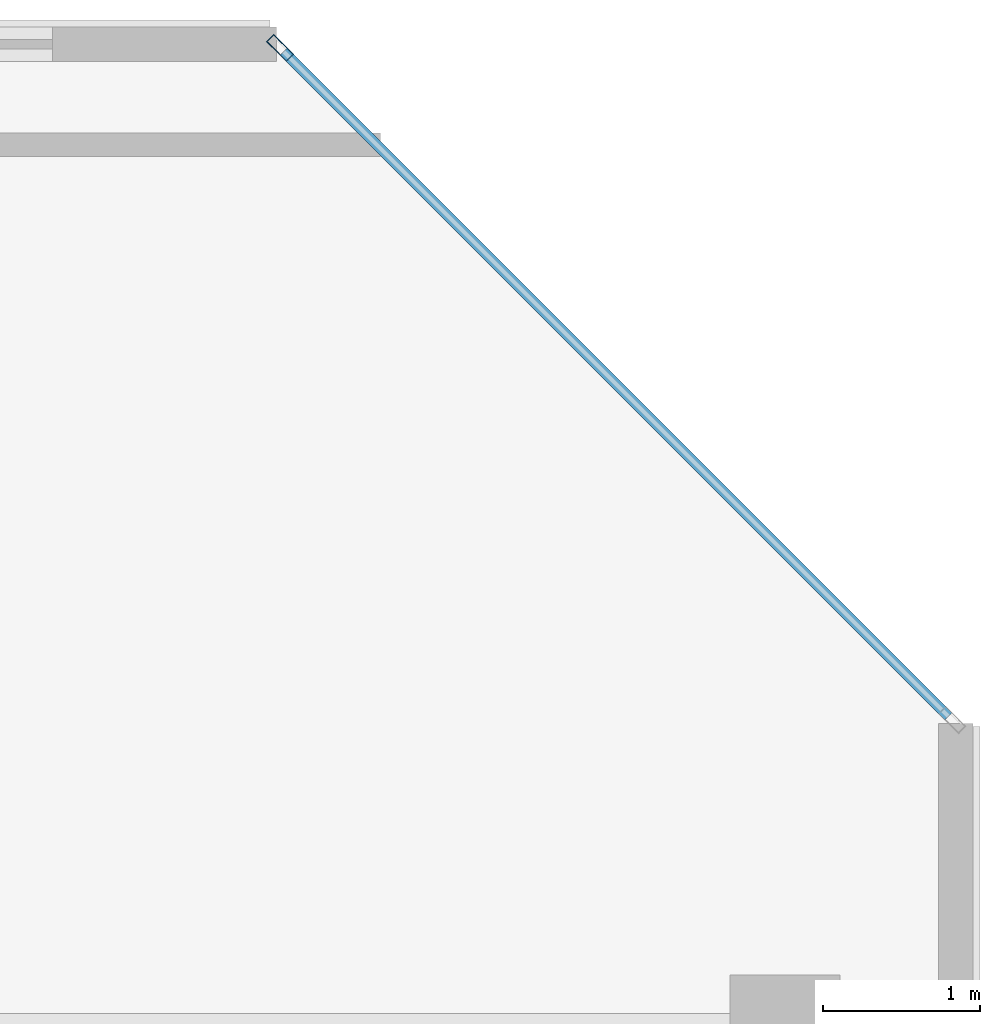
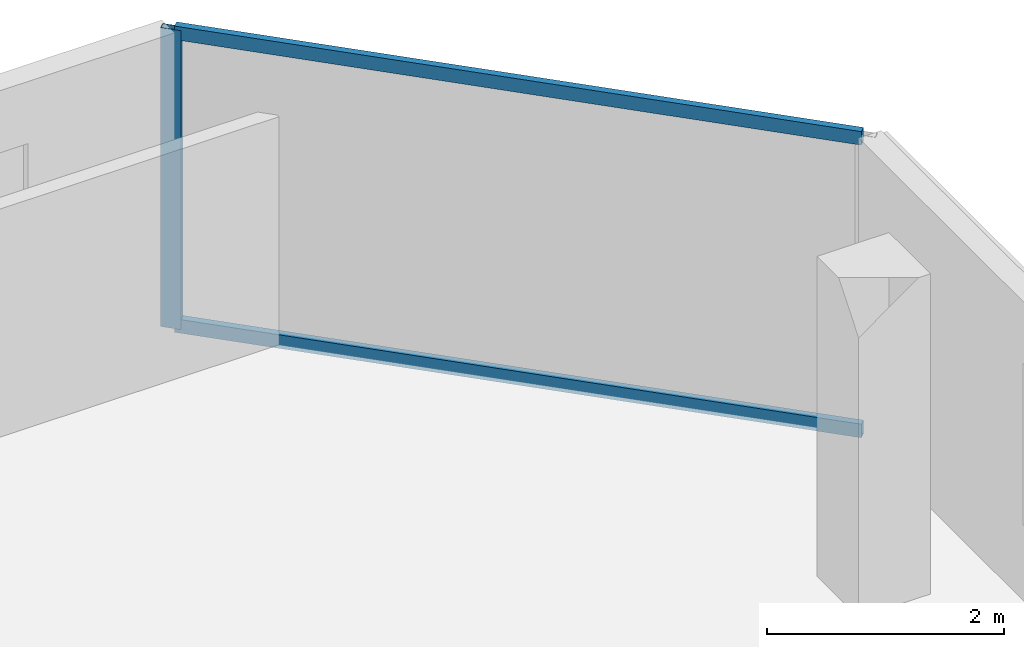
# One storey, part 19 of 29: 3 members, 1 element without a shape of its own.
"""IFC4 building model written with IfcOpenShell, lengths in metres."""

import ifcopenshell
import ifcopenshell.guid

model = None  # the IFC model being written
_history = None  # IfcOwnerHistory: only IFC2X3 demands one
_inside = {}  # id of a spatial element -> (the spatial element, [elements in it])
_under = {}  # id of a project, library or spatial element -> (it, [spatial elements below it])
_declared = {}  # id of a project -> (the project, [libraries it declares])
_typed = {}  # id of a type object -> (the type object, [elements of that type])
_made_of = {}  # id of a material, layer set ... -> (it, [elements and type objects made of it])


def new_model(schema):
    """Start an empty IFC model of exactly this schema.

    Asked for "IFC4X3", IfcOpenShell would pick the latest addendum, in which some entities
    have other attributes; the version numbers below select the first issue.
    IFC2X3 requires an IfcOwnerHistory on every rooted entity: one is made here for all.
    """
    global model, _history
    if schema == "IFC4X3":
        model = ifcopenshell.file(schema_version=(4, 3, 0, 0))
    else:
        model = ifcopenshell.file(schema=schema)
    _inside.clear()
    _under.clear()
    _declared.clear()
    _typed.clear()
    _made_of.clear()
    _history = None
    if model.schema == "IFC2X3":
        org = make("IfcOrganization", Name="unknown")
        user = make(
            "IfcPersonAndOrganization",
            ThePerson=make("IfcPerson", FamilyName="unknown"),
            TheOrganization=org,
        )
        app = make(
            "IfcApplication",
            ApplicationDeveloper=org,
            Version="unknown",
            ApplicationFullName="unknown",
            ApplicationIdentifier="unknown",
        )
        _history = make(
            "IfcOwnerHistory",
            OwningUser=user,
            OwningApplication=app,
            ChangeAction="ADDED",
            CreationDate=0,
        )
    return model


def make(cls, **values):
    """One entity of the class cls with the attributes given. An attribute that is None is left unset."""
    return model.create_entity(
        cls, **{name: value for name, value in values.items() if value is not None}
    )


def rooted(cls, **values):
    """An entity with a GlobalId (a new one), such as an element, a storey or a relation."""
    return make(cls, GlobalId=ifcopenshell.guid.new(), OwnerHistory=_history, **values)


def si_unit(unit_type, name, prefix=None):
    """IfcSIUnit, for example si_unit("LENGTHUNIT", "METRE", prefix="MILLI")."""
    return make("IfcSIUnit", UnitType=unit_type, Prefix=prefix, Name=name)


def assignment(units):
    """IfcUnitAssignment: the units of a project."""
    return None if units is None else make("IfcUnitAssignment", Units=units)


def point(xyz):
    """IfcCartesianPoint."""
    return None if xyz is None else make("IfcCartesianPoint", Coordinates=xyz)


def direction(xyz):
    """IfcDirection."""
    return None if xyz is None else make("IfcDirection", DirectionRatios=xyz)


def frame(location, z_axis=None, x_axis=None):
    """IfcAxis2Placement3D, a coordinate frame: its origin and axes. An axis left out is left unset."""
    return make(
        "IfcAxis2Placement3D",
        Location=point(location),
        Axis=direction(z_axis),
        RefDirection=direction(x_axis),
    )


def frame_2d(location, x_axis=None):
    """IfcAxis2Placement2D, a coordinate frame in the plane: its origin and x axis."""
    return make(
        "IfcAxis2Placement2D", Location=point(location), RefDirection=direction(x_axis)
    )


def origin():
    """The frame at (0, 0, 0) with its axes left unset."""
    return frame((0.0, 0.0, 0.0))


def origin_2d():
    """The frame at (0, 0) in the plane with its x axis left unset."""
    return frame_2d((0.0, 0.0))


def place(relative_to, where):
    """IfcLocalPlacement: puts the frame where relative to a parent placement (None: the world)."""
    return make(
        "IfcLocalPlacement", PlacementRelTo=relative_to, RelativePlacement=where
    )


def context(
    kind, dimensions, precision=None, world=None, true_north=None, identifier=None
):
    """IfcGeometricRepresentationContext, for example the 3D "Model" context."""
    return make(
        "IfcGeometricRepresentationContext",
        ContextIdentifier=identifier,
        ContextType=kind,
        CoordinateSpaceDimension=dimensions,
        Precision=precision,
        WorldCoordinateSystem=world,
        TrueNorth=true_north,
    )


def subcontext(parent, identifier, kind, view, scale=None):
    """IfcGeometricRepresentationSubContext, for example "Body" below "Model"."""
    return make(
        "IfcGeometricRepresentationSubContext",
        ContextIdentifier=identifier,
        ContextType=kind,
        ParentContext=parent,
        TargetScale=scale,
        TargetView=view,
    )


def project(units=None, contexts=None):
    """IfcProject with its units and contexts."""
    return rooted(
        "IfcProject",
        Name="project",
        RepresentationContexts=contexts,
        UnitsInContext=assignment(units),
    )


def spatial(cls, under=None, at=None, **own):
    """A site, building, storey or space (cls), placed at a placement, below another one or the project."""
    s = rooted(cls, ObjectPlacement=at, **own)
    if under is not None:
        _under.setdefault(under.id(), (under, []))[1].append(s)
    return s


def profile(cls, at=None, kind="AREA", **sizes):
    """A parametric profile (cls). Its sizes go by their IFC names, for example OverallWidth=200.0."""
    return make(cls, ProfileType=kind, Position=at, **sizes)


def hollow_rectangle(**sizes):
    """IfcRectangleHollowProfileDef."""
    return profile("IfcRectangleHollowProfileDef", **sizes)


def extrude(swept, where, along, depth):
    """IfcExtrudedAreaSolid: the profile swept, set in the frame where, extruded along a direction by depth."""
    return make(
        "IfcExtrudedAreaSolid",
        SweptArea=swept,
        Position=where,
        ExtrudedDirection=direction(along),
        Depth=depth,
    )


def shape(context_of_items, identifier, shape_type, items):
    """IfcShapeRepresentation: the items that make up one representation, for example the "Body"."""
    return make(
        "IfcShapeRepresentation",
        ContextOfItems=context_of_items,
        RepresentationIdentifier=identifier,
        RepresentationType=shape_type,
        Items=items,
    )


def material(Name=None, Category=None):
    """IfcMaterial."""
    return make("IfcMaterial", Name=Name, Category=Category)


def layer(
    of_material, thickness, ventilated=None, Name=None, Category=None, Priority=None
):
    """IfcMaterialLayer: one layer of a wall or slab, of a material (None: an air gap)."""
    return make(
        "IfcMaterialLayer",
        Material=of_material,
        LayerThickness=thickness,
        IsVentilated=ventilated,
        Name=Name,
        Category=Category,
        Priority=Priority,
    )


def layer_set(layers, Name=None):
    """IfcMaterialLayerSet."""
    return make("IfcMaterialLayerSet", MaterialLayers=layers, LayerSetName=Name)


def material_profile(
    of_material, cross_section, Name=None, Category=None, Priority=None
):
    """IfcMaterialProfile: a cross section and its material."""
    return make(
        "IfcMaterialProfile",
        Name=Name,
        Material=of_material,
        Profile=cross_section,
        Priority=Priority,
        Category=Category,
    )


def profile_set(profiles, Name=None, composite=None):
    """IfcMaterialProfileSet."""
    return make(
        "IfcMaterialProfileSet",
        Name=Name,
        MaterialProfiles=profiles,
        CompositeProfile=composite,
    )


def made_of(thing, what):
    """Note that an element or type object is made of a material, layer set ...; save() writes the relation."""
    if what is not None:
        _made_of.setdefault(what.id(), (what, []))[1].append(thing)
    return thing


def type_object(cls, material=None, **own):
    """A type object (cls), such as IfcWallType, which elements share."""
    return made_of(rooted(cls, **own), material)


def element(
    cls,
    number,
    at=None,
    inside=None,
    cuts=None,
    type_object=None,
    material=None,
    context=None,
    identifier="Body",
    shape_type=None,
    held_by="IfcProductDefinitionShape",
    body=None,
    shapes=None,
    **own,
):
    """One element of the class cls, such as IfcWall. Its Tag is "e" and its number.

    at: its placement. inside: the storey or other place that contains it. cuts: it is an
    opening in that element (IfcRelVoidsElement). A single representation is given by context,
    identifier, shape_type and body (its items); several are given by shapes. held_by: the class
    of the entity that holds the representations. save() writes the other relations.
    """
    e = rooted(cls, Tag="e%d" % number, ObjectPlacement=at, **own)
    if body is not None:
        shapes = [shape(context, identifier, shape_type, body)]
    if shapes is not None:
        e.Representation = make(held_by, Representations=shapes)
    if inside is not None:
        _inside.setdefault(inside.id(), (inside, []))[1].append(e)
    if cuts is not None:
        rooted(
            "IfcRelVoidsElement", RelatingBuildingElement=cuts, RelatedOpeningElement=e
        )
    if type_object is not None:
        _typed.setdefault(type_object.id(), (type_object, []))[1].append(e)
    return made_of(e, material)


def aggregate(whole, parts):
    """IfcRelAggregates: a whole, such as a stair, and the parts it consists of."""
    return rooted("IfcRelAggregates", RelatingObject=whole, RelatedObjects=parts)


def save(model, path):
    """Write the relations noted so far, then the file.

    IfcRelAggregates (storeys below a building ...), IfcRelContainedInSpatialStructure (elements
    in a storey), IfcRelDefinesByType, IfcRelAssociatesMaterial and IfcRelDeclares: one each for
    every whole, place, type object, material and project.
    """
    for whole, parts in _under.values():
        aggregate(whole, parts)
    for where, things in _inside.values():
        rooted(
            "IfcRelContainedInSpatialStructure",
            RelatedElements=things,
            RelatingStructure=where,
        )
    for kind, things in _typed.values():
        rooted("IfcRelDefinesByType", RelatedObjects=things, RelatingType=kind)
    for what, things in _made_of.values():
        rooted("IfcRelAssociatesMaterial", RelatedObjects=things, RelatingMaterial=what)
    for by, libraries in _declared.values():
        rooted("IfcRelDeclares", RelatingContext=by, RelatedDefinitions=libraries)
    model.write(path)


model = new_model("IFC4")

# Units and contexts
model_context = context("Model", 3, precision=1e-05, world=origin(), true_north=direction((0.0, 1.0)))
body_context = subcontext(model_context, "Body", "Model", "MODEL_VIEW")
ifc_project = project(units=[si_unit("LENGTHUNIT", "METRE"), si_unit("AREAUNIT", "SQUARE_METRE"), si_unit("VOLUMEUNIT", "CUBIC_METRE"), si_unit("PLANEANGLEUNIT", "RADIAN"), si_unit("MASSUNIT", "GRAM", prefix="KILO")], contexts=[model_context])

# Site, building, storey
site_placement = place(None, origin())
site = spatial("IfcSite", under=ifc_project, at=site_placement, CompositionType="ELEMENT")
building_placement = place(site_placement, origin())
building = spatial("IfcBuilding", under=site, at=building_placement, Name="Tanjung Sevakor Pilgrim Tower", CompositionType="ELEMENT")
storey_placement = place(building_placement, frame((0.0, 0.0, 235.949951171875)))
storey = spatial("IfcBuildingStorey", under=building, at=storey_placement, Name="L66", CompositionType="ELEMENT", Elevation=235.949951171875)

# Curtain wall, members
ifc_material_1 = material(Name="Aluminium 6063-T6 and Low-E Glass", Category="aluminium")
ifc_layer = layer(ifc_material_1, 0.179931640625)
ifc_layer_set = layer_set([ifc_layer], Name="CW-SYS-CHAM")
curtain_wall_type = type_object("IfcCurtainWallType", Name="CW-SYS-CHAM", PredefinedType="NOTDEFINED", material=ifc_layer_set)
curtain_wall_placement = place(storey_placement, origin())
curtain_wall = element("IfcCurtainWall", 1, at=curtain_wall_placement, inside=storey, type_object=curtain_wall_type, Name="L66 Curtain Wall CW-CHM-L66-EAST-3", PredefinedType="NOTDEFINED")
ifc_material_2 = material(Name="Aluminium 6063-T6", Category="aluminium")
ifc_material_profile_1 = material_profile(ifc_material_2, hollow_rectangle(XDim=0.06494140625, YDim=0.179931640625, WallThickness=0.00390625, at=origin_2d()))
ifc_profile_set_1 = profile_set([ifc_material_profile_1], Name="Aluminium 6063-T6")
member_type_1 = type_object("IfcMemberType", Name="TYPE-CWM-1", PredefinedType="MULLION", material=ifc_profile_set_1)
member_1_placement = place(storey_placement, frame((94.77734375, 54.866943359375, 0.0), z_axis=(0.0, 0.0, 1.0), x_axis=(-0.707106781187, -0.707106781187, 0.0)))
member_1 = element("IfcMember", 2, at=member_1_placement, type_object=member_type_1, Name="CW-CHM mullion 2", PredefinedType="MULLION", context=body_context, shape_type="SweptSolid", body=[
    extrude(hollow_rectangle(XDim=0.06494140625, YDim=0.179931640625, WallThickness=0.00390625, at=origin_2d()), origin(), (0.0, 0.0, 1.0), 3.080078125),
])
ifc_material_3 = material(Name="Aluminium 6063-T6", Category="aluminium")
ifc_material_profile_2 = material_profile(ifc_material_3, hollow_rectangle(XDim=0.06494140625, YDim=0.139892578125, WallThickness=0.00390625, at=origin_2d()))
ifc_profile_set_2 = profile_set([ifc_material_profile_2], Name="Aluminium 6063-T6")
member_type_2 = type_object("IfcMemberType", Name="TYPE-CWT-1", PredefinedType="USERDEFINED", material=ifc_profile_set_2)
member_2_placement = place(storey_placement, frame((99.0439453125, 50.600341796875, 0.032470703125), z_axis=(-0.707106781187, 0.707106781187, 0.0), x_axis=(-0.707106781187, -0.707106781187, 0.0)))
member_2 = element("IfcMember", 3, at=member_2_placement, type_object=member_type_2, Name="CW-CHM transom 1.1", ObjectType="TRANSOM", PredefinedType="USERDEFINED", context=body_context, shape_type="SweptSolid", body=[
    extrude(hollow_rectangle(XDim=0.06494140625, YDim=0.139892578125, WallThickness=0.00390625, at=origin_2d()), origin(), (0.0, 0.0, 1.0), 6.00146484375),
])
member_3_placement = place(storey_placement, frame((99.0439453125, 50.600341796875, 3.047607421875), z_axis=(-0.707106781187, 0.707106781187, 0.0), x_axis=(-0.707106781187, -0.707106781187, 0.0)))
member_3 = element("IfcMember", 4, at=member_3_placement, type_object=member_type_2, Name="CW-CHM transom 1.2", ObjectType="TRANSOM", PredefinedType="USERDEFINED", context=body_context, shape_type="SweptSolid", body=[
    extrude(hollow_rectangle(XDim=0.06494140625, YDim=0.139892578125, WallThickness=0.00390625, at=origin_2d()), origin(), (0.0, 0.0, 1.0), 6.00146484375),
])
aggregate(curtain_wall, [member_1, member_2, member_3])

save(model, "model.ifc")
